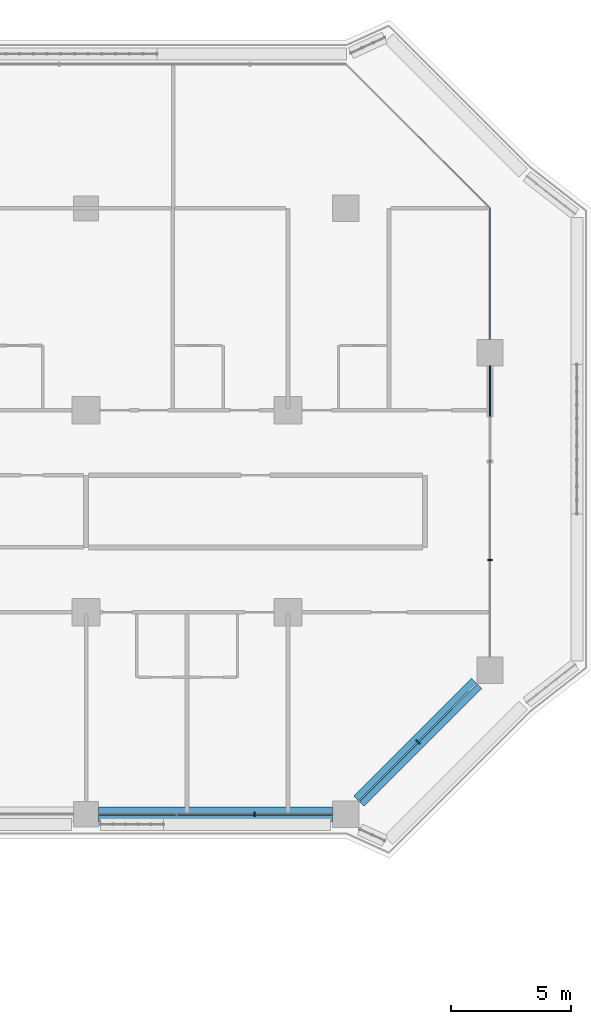
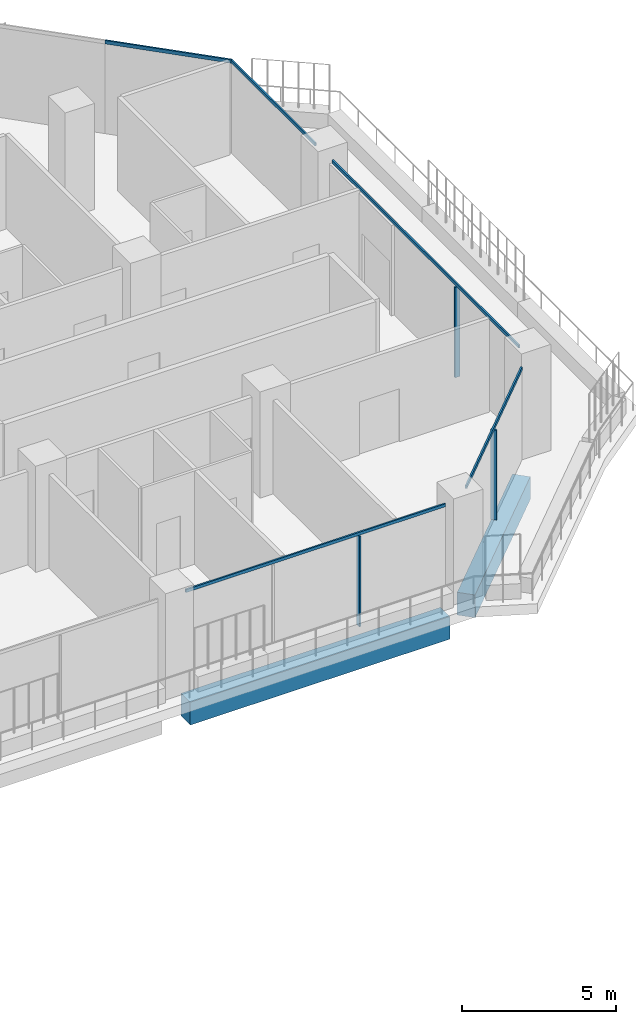
# One storey, part 6 of 23: 8 members, 2 beams, 4 elements without a shape of their own.
"""IFC4 building model written with IfcOpenShell, lengths in metres."""

from ifc_helpers import new_model, si_unit, direction, frame, origin, origin_2d, place, context, subcontext, project, spatial, rectangle, extrude, material, layer, layer_set, material_profile, profile_set, type_object, element, aggregate, save


model = new_model("IFC4")

# Units and contexts
model_context = context("Model", 3, precision=1e-05, world=origin(), true_north=direction((0.0, 1.0)))
body_context = subcontext(model_context, "Body", "Model", "MODEL_VIEW")
ifc_project = project(units=[si_unit("LENGTHUNIT", "METRE"), si_unit("AREAUNIT", "SQUARE_METRE"), si_unit("VOLUMEUNIT", "CUBIC_METRE"), si_unit("PLANEANGLEUNIT", "RADIAN"), si_unit("MASSUNIT", "GRAM", prefix="KILO")], contexts=[model_context])

# Site, building, storey
site_placement = place(None, origin())
site = spatial("IfcSite", under=ifc_project, at=site_placement, CompositionType="ELEMENT")
building_placement = place(site_placement, origin())
building = spatial("IfcBuilding", under=site, at=building_placement, Name="Kawkab Arch Medical Tower", CompositionType="ELEMENT")
storey_placement = place(building_placement, frame((0.0, 0.0, 149.199951171875)))
storey = spatial("IfcBuildingStorey", under=building, at=storey_placement, Name="L34", CompositionType="ELEMENT", Elevation=149.199951171875)

# Curtain wall, member
ifc_material_1 = material(Name="Bronze anodised aluminium curtain wall frame", Category="aluminium")
ifc_layer_1 = layer(ifc_material_1, 0.159912109375)
ifc_layer_set_1 = layer_set([ifc_layer_1], Name="Bronze anodised aluminium curtain wall frame")
curtain_wall_type_1 = type_object("IfcCurtainWallType", Name="CW1 ward curtain wall", PredefinedType="NOTDEFINED", material=ifc_layer_set_1)
placement = place(storey_placement, origin())
curtain_wall_1 = element("IfcCurtainWall", 1, at=placement, inside=storey, type_object=curtain_wall_type_1, Name="CW1 Ward curtain wall R07", PredefinedType="NOTDEFINED")
ifc_material_2 = material(Name="Bronze anodised aluminium curtain wall frame", Category="aluminium")
ifc_material_profile_1 = material_profile(ifc_material_2, rectangle(XDim=0.179931640625, YDim=0.06005859375, at=origin_2d()), Name="AL 60x180")
ifc_profile_set_1 = profile_set([ifc_material_profile_1], Name="Bronze anodised aluminium curtain wall frame")
member_type_1 = type_object("IfcMemberType", Name="CW1 mullion 60 x 180", PredefinedType="MULLION", material=ifc_profile_set_1)
member_1_placement = place(storey_placement, frame((65.808349609375, -25.199951171875, 0.0), z_axis=(0.0, 0.0, 1.0), x_axis=(0.0, 1.0, 0.0)))
member_1 = element("IfcMember", 2, at=member_1_placement, type_object=member_type_1, Name="CW1 mullion 4.2", PredefinedType="MULLION", context=body_context, shape_type="SweptSolid", body=[
    extrude(rectangle(XDim=0.179931640625, YDim=0.06005859375, at=origin_2d()), origin(), (0.0, 0.0, 1.0), 3.580078125),
])

curtain_wall_2 = element("IfcCurtainWall", 3, at=placement, inside=storey, type_object=curtain_wall_type_1, Name="CW1 Ward curtain wall R09", PredefinedType="NOTDEFINED")
member_2_placement = place(storey_placement, frame((75.60009765625, -14.61669921875, 0.0), z_axis=(0.0, 0.0, 1.0), x_axis=(-1.0, 0.0, 0.0)))
member_2 = element("IfcMember", 4, at=member_2_placement, type_object=member_type_1, Name="CW1 mullion 1.1", PredefinedType="MULLION", context=body_context, shape_type="SweptSolid", body=[
    extrude(rectangle(XDim=0.179931640625, YDim=0.06005859375, at=origin_2d()), origin(), (0.0, 0.0, 1.0), 3.580078125),
])

# Member
ifc_material_3 = material(Name="Bronze anodised aluminium curtain wall frame", Category="aluminium")
ifc_material_profile_2 = material_profile(ifc_material_3, rectangle(XDim=0.06005859375, YDim=0.1201171875, at=origin_2d()), Name="AL 60x120")
ifc_profile_set_2 = profile_set([ifc_material_profile_2], Name="Bronze anodised aluminium curtain wall frame")
member_type_2 = type_object("IfcMemberType", Name="CW1 transom 120 x 60", PredefinedType="USERDEFINED", material=ifc_profile_set_2)
member_3_placement = place(storey_placement, frame((59.324951171875, -25.199951171875, 3.64013671875), z_axis=(1.0, 0.0, 0.0), x_axis=(0.0, 1.0, 0.0)))
member_3 = element("IfcMember", 5, at=member_3_placement, type_object=member_type_2, Name="CW1 transom 4", ObjectType="TRANSOM", PredefinedType="USERDEFINED", context=body_context, shape_type="SweptSolid", body=[
    extrude(rectangle(XDim=0.06005859375, YDim=0.1201171875, at=origin_2d()), origin(), (0.0, 0.0, 1.0), 9.72509765625),
])

aggregate(curtain_wall_1, [member_3, member_1])

member_4_placement = place(storey_placement, frame((75.60009765625, -18.64990234375, 3.64013671875), z_axis=(0.0, 1.0, 0.0), x_axis=(-1.0, 0.0, 0.0)))
member_4 = element("IfcMember", 6, at=member_4_placement, type_object=member_type_2, Name="CW1 transom 1", ObjectType="TRANSOM", PredefinedType="USERDEFINED", context=body_context, shape_type="SweptSolid", body=[
    extrude(rectangle(XDim=0.06005859375, YDim=0.1201171875, at=origin_2d()), origin(), (0.0, 0.0, 1.0), 12.099853515625),
])

member_5_placement = place(storey_placement, frame((75.60009765625, -5.449951171875, 3.64013671875), z_axis=(0.0, 1.0, 0.0), x_axis=(-1.0, 0.0, 0.0)))
member_5 = element("IfcMember", 7, at=member_5_placement, type_object=member_type_2, Name="CW1 transom 2", ObjectType="TRANSOM", PredefinedType="USERDEFINED", context=body_context, shape_type="SweptSolid", body=[
    extrude(rectangle(XDim=0.06005859375, YDim=0.1201171875, at=origin_2d()), origin(), (0.0, 0.0, 1.0), 5.449951171875),
])

aggregate(curtain_wall_2, [member_4, member_2, member_5])

# Curtain wall, members
ifc_material_4 = material(Name="Bronze anodised aluminium curtain wall frame", Category="aluminium")
ifc_layer_2 = layer(ifc_material_4, 0.159912109375)
ifc_layer_set_2 = layer_set([ifc_layer_2], Name="Bronze anodised aluminium curtain wall frame")
curtain_wall_type_2 = type_object("IfcCurtainWallType", Name="CW2 chamfer curtain wall", PredefinedType="NOTDEFINED", material=ifc_layer_set_2)
curtain_wall_3 = element("IfcCurtainWall", 8, at=placement, inside=storey, type_object=curtain_wall_type_2, Name="CW2 Chamfer curtain wall R08", PredefinedType="NOTDEFINED")
ifc_material_5 = material(Name="Bronze anodised aluminium curtain wall frame", Category="aluminium")
ifc_material_profile_3 = material_profile(ifc_material_5, rectangle(XDim=0.199951171875, YDim=0.06005859375, at=origin_2d()), Name="AL 60x200")
ifc_profile_set_3 = profile_set([ifc_material_profile_3], Name="Bronze anodised aluminium curtain wall frame")
member_type_3 = type_object("IfcMemberType", Name="CW2 mullion 60 x 200", PredefinedType="MULLION", material=ifc_profile_set_3)
member_6_placement = place(storey_placement, frame((72.60009765625, -22.199951171875, 0.0), z_axis=(0.0, 0.0, 1.0), x_axis=(-0.707106781187, 0.707106781187, 0.0)))
member_6 = element("IfcMember", 9, at=member_6_placement, type_object=member_type_3, Name="CW2 mullion 1.1", PredefinedType="MULLION", context=body_context, shape_type="SweptSolid", body=[
    extrude(rectangle(XDim=0.199951171875, YDim=0.06005859375, at=origin_2d()), origin(), (0.0, 0.0, 1.0), 3.56005859375),
])
ifc_material_6 = material(Name="Bronze anodised aluminium curtain wall frame", Category="aluminium")
ifc_material_profile_4 = material_profile(ifc_material_6, rectangle(XDim=0.06005859375, YDim=0.139892578125, at=origin_2d()), Name="AL 60x140")
ifc_profile_set_4 = profile_set([ifc_material_profile_4], Name="Bronze anodised aluminium curtain wall frame")
member_type_4 = type_object("IfcMemberType", Name="CW2 transom 140 x 60", PredefinedType="USERDEFINED", material=ifc_profile_set_4)
member_7_placement = place(storey_placement, frame((70.14990234375, -24.64990234375, 3.630126953125), z_axis=(0.707124396542, 0.707089165393, 0.0), x_axis=(-0.707089165393, 0.707124396542, 0.0)))
member_7 = element("IfcMember", 10, at=member_7_placement, type_object=member_type_4, Name="CW2 transom 1", ObjectType="TRANSOM", PredefinedType="USERDEFINED", context=body_context, shape_type="SweptSolid", body=[
    extrude(rectangle(XDim=0.06005859375, YDim=0.139892578125, at=origin_2d()), origin(), (0.0, 0.0, 1.0), 6.9296875),
])
aggregate(curtain_wall_3, [member_7, member_6])

# Curtain wall, member
curtain_wall_4 = element("IfcCurtainWall", 11, at=placement, inside=storey, type_object=curtain_wall_type_2, Name="CW2 Chamfer curtain wall R10", PredefinedType="NOTDEFINED")
member_8_placement = place(storey_placement, frame((75.60009765625, 0.0, 3.630126953125), z_axis=(-0.707106781187, 0.707106781187, 0.0), x_axis=(-0.707106781187, -0.707106781187, 0.0)))
member_8 = element("IfcMember", 12, at=member_8_placement, type_object=member_type_4, Name="CW2 transom 1", ObjectType="TRANSOM", PredefinedType="USERDEFINED", context=body_context, shape_type="SweptSolid", body=[
    extrude(rectangle(XDim=0.06005859375, YDim=0.139892578125, at=origin_2d()), origin(), (0.0, 0.0, 1.0), 4.24267578125),
])
aggregate(curtain_wall_4, [member_8])

# Beams
ifc_material_7 = material(Name="Concrete C55/67", Category="concrete")
ifc_material_profile_5 = material_profile(ifc_material_7, rectangle(XDim=0.60009765625, YDim=0.89990234375, at=origin_2d()), Name="RC 600x900")
ifc_profile_set_5 = profile_set([ifc_material_profile_5], Name="Concrete C55/67")
beam_type = type_object("IfcBeamType", Name="RC 600x900 beam C55/67", PredefinedType="BEAM", material=ifc_profile_set_5)
beam_1_placement = place(storey_placement, frame((75.050048828125, -19.75, -1.050048828125), z_axis=(-0.707124396542, -0.707089165393, 0.0), x_axis=(0.707089165393, -0.707124396542, 0.0)))
element("IfcBeam", 13, at=beam_1_placement, inside=storey, type_object=beam_type, Name="Overhang edge beam L34-01", PredefinedType="BEAM", context=body_context, shape_type="SweptSolid", body=[
    extrude(rectangle(XDim=0.60009765625, YDim=0.89990234375, at=origin_2d()), origin(), (0.0, 0.0, 1.0), 6.9296875),
])
beam_2_placement = place(storey_placement, frame((69.050048828125, -25.199951171875, -1.050048828125), z_axis=(-1.0, 0.0, 0.0), x_axis=(0.0, -1.0, 0.0)))
element("IfcBeam", 14, at=beam_2_placement, inside=storey, type_object=beam_type, Name="Overhang edge beam L34-02", PredefinedType="BEAM", context=body_context, shape_type="SweptSolid", body=[
    extrude(rectangle(XDim=0.60009765625, YDim=0.89990234375, at=origin_2d()), origin(), (0.0, 0.0, 1.0), 9.72509765625),
])

save(model, "model.ifc")
